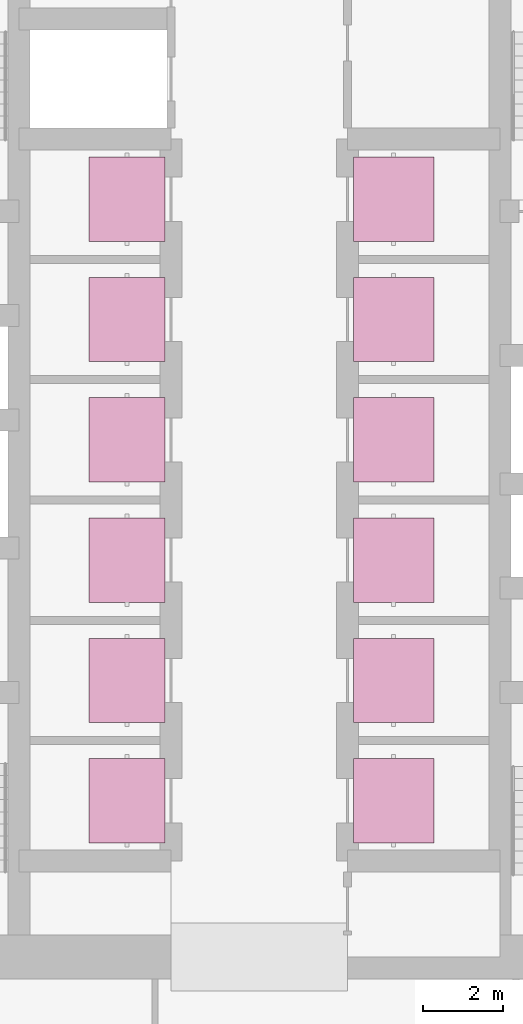
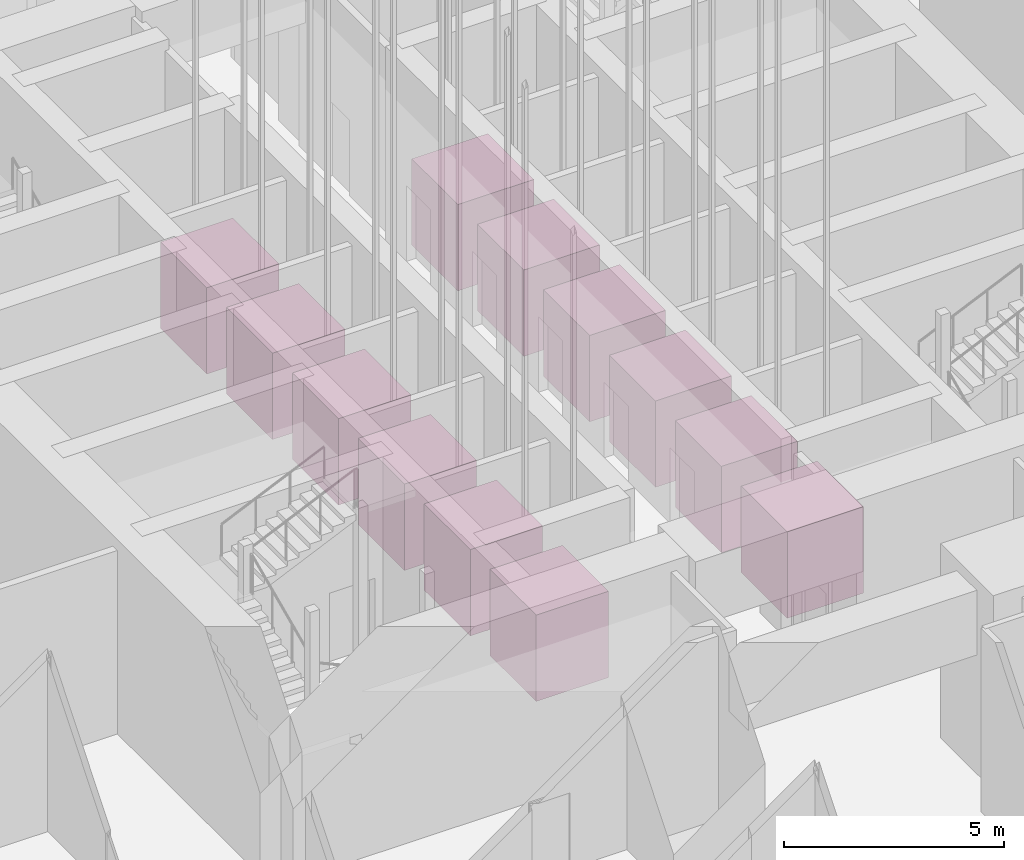
# One storey, part 57 of 81: 12 transport elements.
"""IFC4 building model written with IfcOpenShell, lengths in metres."""

from ifc_helpers import new_model, si_unit, direction, frame, origin, origin_2d, place, context, subcontext, project, spatial, rectangle, extrude, material, type_object, element, save


model = new_model("IFC4")

# Units and contexts
model_context = context("Model", 3, precision=1e-05, world=origin(), true_north=direction((0.0, 1.0)))
body_context = subcontext(model_context, "Body", "Model", "MODEL_VIEW")
ifc_project = project(units=[si_unit("LENGTHUNIT", "METRE"), si_unit("AREAUNIT", "SQUARE_METRE"), si_unit("VOLUMEUNIT", "CUBIC_METRE"), si_unit("PLANEANGLEUNIT", "RADIAN"), si_unit("MASSUNIT", "GRAM", prefix="KILO")], contexts=[model_context])

# Site, building, storey
site_placement = place(None, origin())
site = spatial("IfcSite", under=ifc_project, at=site_placement, CompositionType="ELEMENT")
building_placement = place(site_placement, origin())
building = spatial("IfcBuilding", under=site, at=building_placement, Name="Rekha Terrace Tower", CompositionType="ELEMENT")
storey_placement = place(building_placement, origin())
storey = spatial("IfcBuildingStorey", under=building, at=storey_placement, Name="L00", CompositionType="ELEMENT", Elevation=0.0)

# Transport elements
ifc_material = material(Name="Steel car with stainless steel lining", Category="steel")
transport_element_type_1 = type_object("IfcTransportElementType", Name="LP1 1600 kg passenger lift", PredefinedType="ELEVATOR", material=ifc_material)
for number, where, z_axis, x_axis, name in (
    (1, (34.5, 24.89990234375, 0.0), (0.0, 0.0, 1.0), (1.0, 0.0, 0.0), "Lift A1"),
    (2, (34.5, 27.89990234375, 0.0), (0.0, 0.0, 1.0), (1.0, 0.0, 0.0), "Lift A2"),
    (3, (34.5, 30.89990234375, 0.0), (0.0, 0.0, 1.0), (1.0, 0.0, 0.0), "Lift A3"),
    (4, (34.5, 33.89990234375, 0.0), (0.0, 0.0, 1.0), (1.0, 0.0, 0.0), "Lift A4"),
    (5, (34.5, 36.89990234375, 0.0), (0.0, 0.0, 1.0), (1.0, 0.0, 0.0), "Lift A5"),
    (6, (34.5, 39.89990234375, 0.0), (0.0, 0.0, 1.0), (1.0, 0.0, 0.0), "Lift A6"),
):
    element("IfcTransportElement", number, at=place(storey_placement, frame(where, z_axis=z_axis, x_axis=x_axis)), inside=storey, type_object=transport_element_type_1, Name=name, PredefinedType="ELEVATOR", context=body_context, shape_type="SweptSolid", body=[
        extrude(rectangle(XDim=1.89990234375, YDim=2.10009765625, at=origin_2d()), origin(), (0.0, 0.0, 1.0), 2.39990234375),
    ])
transport_element_type_2 = type_object("IfcTransportElementType", Name="LS1 2000 kg shuttle lift", PredefinedType="ELEVATOR", material=ifc_material)
for number, where, z_axis, x_axis, name in (
    (7, (41.14990234375, 24.89990234375, 0.0), (0.0, 0.0, 1.0), (1.0, 0.0, 0.0), "Lift SH1"),
    (8, (41.14990234375, 27.89990234375, 0.0), (0.0, 0.0, 1.0), (1.0, 0.0, 0.0), "Lift SH2"),
    (9, (41.14990234375, 30.89990234375, 0.0), (0.0, 0.0, 1.0), (1.0, 0.0, 0.0), "Lift SH3"),
    (10, (41.14990234375, 33.89990234375, 0.0), (0.0, 0.0, 1.0), (1.0, 0.0, 0.0), "Lift SH4"),
    (11, (41.14990234375, 36.89990234375, 0.0), (0.0, 0.0, 1.0), (1.0, 0.0, 0.0), "Lift SH5"),
    (12, (41.14990234375, 39.89990234375, 0.0), (0.0, 0.0, 1.0), (1.0, 0.0, 0.0), "Lift SH6"),
):
    element("IfcTransportElement", number, at=place(storey_placement, frame(where, z_axis=z_axis, x_axis=x_axis)), inside=storey, type_object=transport_element_type_2, Name=name, PredefinedType="ELEVATOR", context=body_context, shape_type="SweptSolid", body=[
        extrude(rectangle(XDim=2.0, YDim=2.10009765625, at=origin_2d()), origin(), (0.0, 0.0, 1.0), 2.39990234375),
    ])

save(model, "model.ifc")
